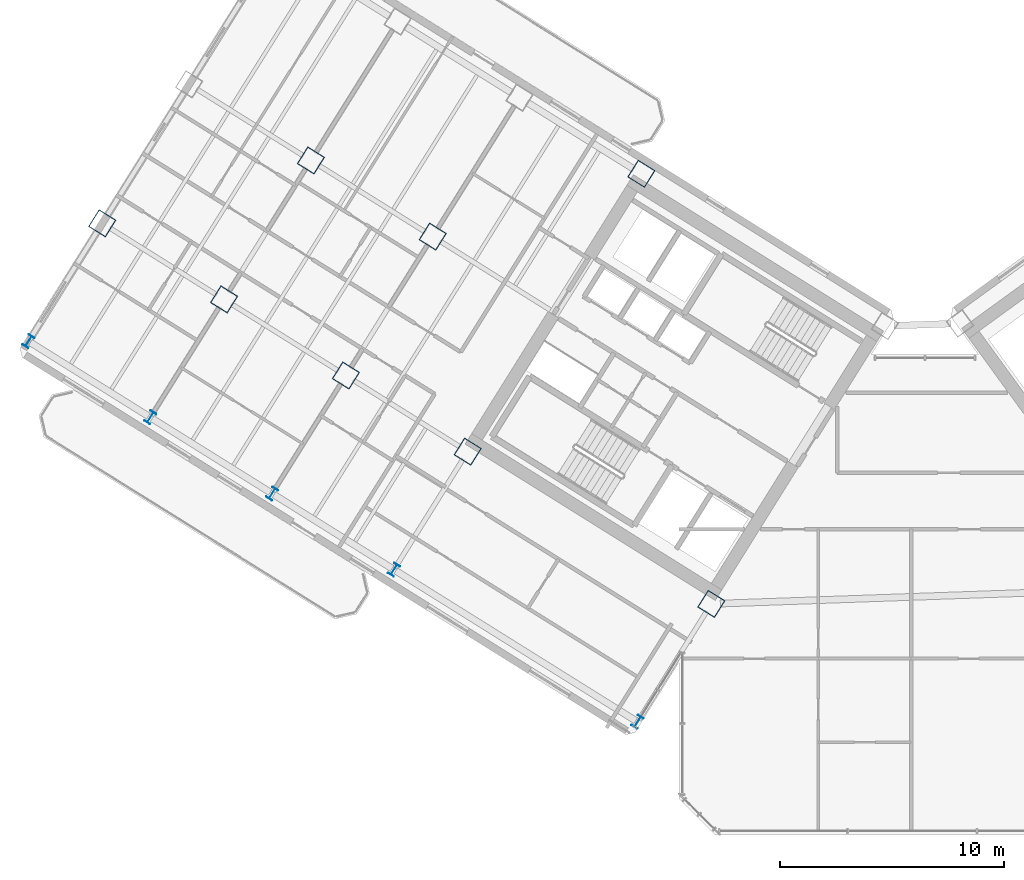
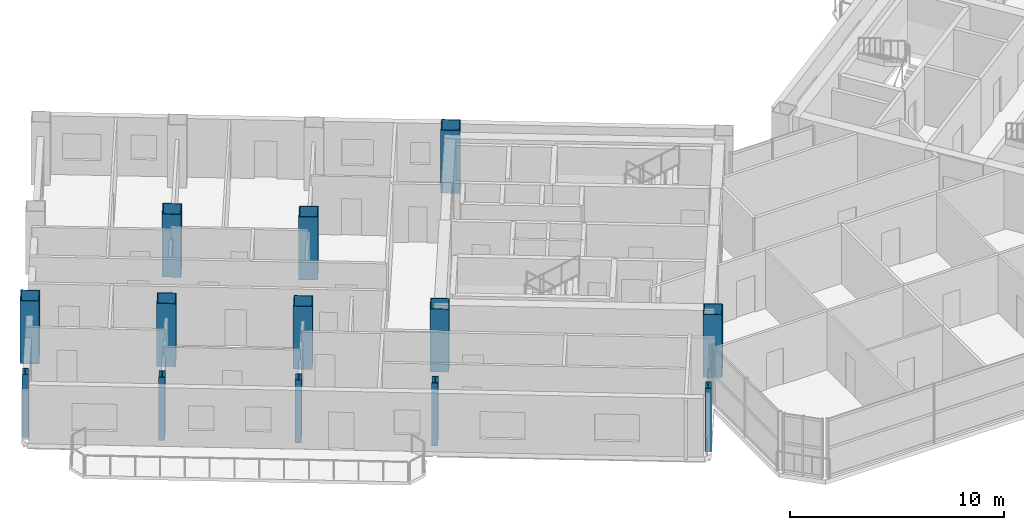
# One storey, part 1 of 25: 13 columns.
"""IFC4 building model written with IfcOpenShell, lengths in metres."""

from ifc_helpers import new_model, si_unit, direction, frame, origin, origin_2d, place, context, subcontext, project, spatial, hollow_rectangle, i_section, extrude, source, transform, mapped, material, material_profile, profile_set, type_object, element, save


model = new_model("IFC4")

# Units and contexts
model_context = context("Model", 3, precision=1e-05, world=origin(), true_north=direction((0.0, 1.0)))
body_context = subcontext(model_context, "Body", "Model", "MODEL_VIEW")
ifc_project = project(units=[si_unit("LENGTHUNIT", "METRE"), si_unit("AREAUNIT", "SQUARE_METRE"), si_unit("VOLUMEUNIT", "CUBIC_METRE"), si_unit("PLANEANGLEUNIT", "RADIAN"), si_unit("MASSUNIT", "GRAM", prefix="KILO")], contexts=[model_context])

# Site, building, storey
site_placement = place(None, origin())
site = spatial("IfcSite", under=ifc_project, at=site_placement, CompositionType="ELEMENT")
building_placement = place(site_placement, origin())
building = spatial("IfcBuilding", under=site, at=building_placement, Name="Tlacorven Tower", CompositionType="ELEMENT")
storey_placement = place(building_placement, frame((0.0, 0.0, 155.10009765625)))
storey = spatial("IfcBuildingStorey", under=building, at=storey_placement, Name="L39", CompositionType="ELEMENT", Elevation=155.10009765625)

# Columns
ifc_material = material(Name="Steel S460M", Category="steel")
ifc_material_profile_1 = material_profile(ifc_material, hollow_rectangle(XDim=0.89990234375, YDim=0.89990234375, WallThickness=0.035888671875, at=origin_2d()), Name="BOX 900X900X36")
ifc_profile_set_1 = profile_set([ifc_material_profile_1], Name="Steel S460M")
column_type_1 = type_object("IfcColumnType", Name="COL-TWR-S2", PredefinedType="COLUMN", material=ifc_profile_set_1)
shared_shape_1 = source(origin(), body_context, "Body", "SweptSolid", [
    extrude(hollow_rectangle(XDim=0.89990234375, YDim=0.89990234375, WallThickness=0.035888671875, at=origin_2d()), origin(), (0.0, 0.0, 1.0), 3.599853515625),
])
for number, where, z_axis, x_axis, name in (
    (1, (33.046142578125, 12.0869140625, 0.0), (0.0, 0.0, 1.0), (-0.848048096156, 0.529919264233, 0.0), "L39 column COL-L39-W1-3"),
    (2, (29.927978515625, 31.25146484375, 0.0), (0.0, 0.0, 1.0), (-0.848048096156, 0.529919264233, 0.0), "L39 column COL-L39-W3-1"),
    (3, (22.191162109375, 18.869873046875, 0.0), (0.0, 0.0, 1.0), (-0.848048096156, 0.529919264233, 0.0), "L39 column COL-L39-W3-3"),
    (4, (20.632080078125, 28.4521484375, 0.0), (0.0, 0.0, 1.0), (-0.848048096156, 0.529919264233, 0.0), "L39 column COL-L39-W4-2"),
    (5, (16.763671875, 22.26123046875, 0.0), (0.0, 0.0, 1.0), (-0.848048096156, 0.529919264233, 0.0), "L39 column COL-L39-W4-3"),
    (6, (15.20458984375, 31.843505859375, 0.0), (0.0, 0.0, 1.0), (-0.848048096156, 0.529919264233, 0.0), "L39 column COL-L39-W5-2"),
    (7, (11.336181640625, 25.65283203125, 0.0), (0.0, 0.0, 1.0), (-0.848048096156, 0.529919264233, 0.0), "L39 column COL-L39-W5-3"),
    (8, (5.90869140625, 29.044189453125, 0.0), (0.0, 0.0, 1.0), (-0.848048096156, 0.529919264233, 0.0), "L39 column COL-L39-W6-3"),
):
    element("IfcColumn", number, at=place(storey_placement, frame(where, z_axis=z_axis, x_axis=x_axis)), inside=storey, type_object=column_type_1, Name=name, PredefinedType="COLUMN", context=body_context, shape_type="MappedRepresentation", body=[
        mapped(shared_shape_1, transform((0.0, 0.0, 0.0), scale=1.0)),
    ])
ifc_material_profile_2 = material_profile(ifc_material, i_section(OverallWidth=0.300048828125, OverallDepth=0.550048828125, WebThickness=0.014892578125, FlangeThickness=0.029052734375, at=origin_2d()), Name="HEB 550")
ifc_profile_set_2 = profile_set([ifc_material_profile_2], Name="Steel S460M")
column_type_2 = type_object("IfcColumnType", Name="COL-TWR-P2", PredefinedType="COLUMN", material=ifc_profile_set_2)
shared_shape_2 = source(origin(), body_context, "Body", "SweptSolid", [
    extrude(i_section(OverallWidth=0.300048828125, OverallDepth=0.550048828125, WebThickness=0.014892578125, FlangeThickness=0.029052734375, at=origin_2d()), origin(), (0.0, 0.0, 1.0), 3.599853515625),
])
for number, where, z_axis, x_axis, name in (
    (9, (29.7607421875, 6.8291015625, 0.0), (0.0, 0.0, 1.0), (-0.848048096156, 0.529919264233, 0.0), "L39 column COL-L39-W1-4"),
    (10, (18.905517578125, 13.612060546875, 0.0), (0.0, 0.0, 1.0), (-0.848048096156, 0.529919264233, 0.0), "L39 column COL-L39-W3-4"),
    (11, (13.47802734375, 17.00341796875, 0.0), (0.0, 0.0, 1.0), (-0.848048096156, 0.529919264233, 0.0), "L39 column COL-L39-W4-4"),
    (12, (8.050537109375, 20.39501953125, 0.0), (0.0, 0.0, 1.0), (-0.848048096156, 0.529919264233, 0.0), "L39 column COL-L39-W5-4"),
    (13, (2.623046875, 23.786376953125, 0.0), (0.0, 0.0, 1.0), (-0.848048096156, 0.529919264233, 0.0), "L39 column COL-L39-W6-4"),
):
    element("IfcColumn", number, at=place(storey_placement, frame(where, z_axis=z_axis, x_axis=x_axis)), inside=storey, type_object=column_type_2, Name=name, PredefinedType="COLUMN", context=body_context, shape_type="MappedRepresentation", body=[
        mapped(shared_shape_2, transform((0.0, 0.0, 0.0), scale=1.0)),
    ])

save(model, "model.ifc")
